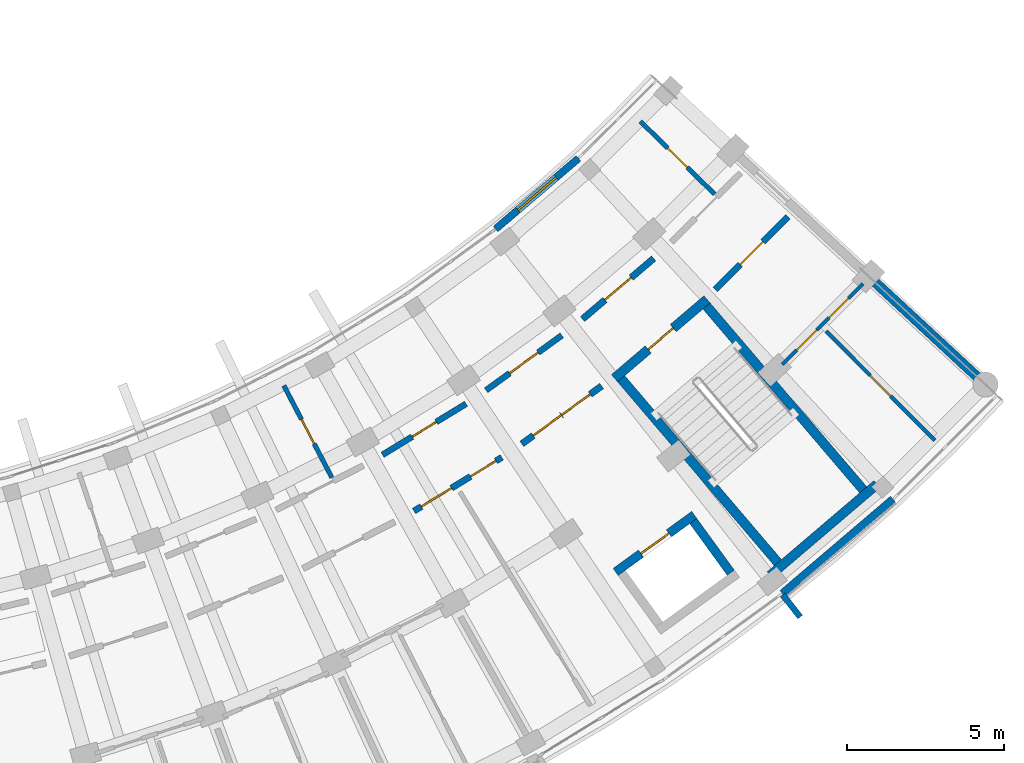
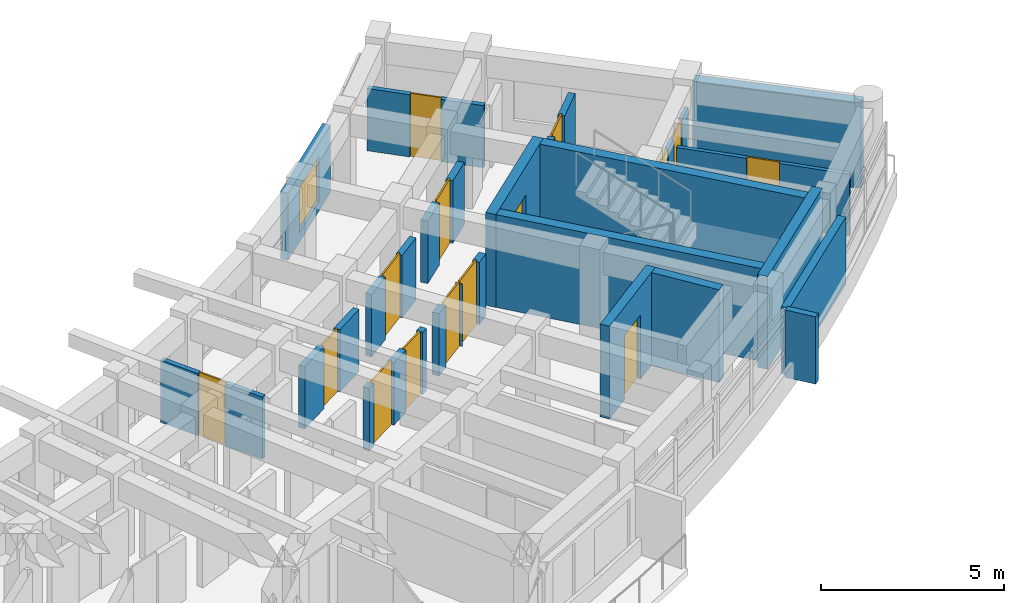
# One storey, part 54 of 70: 20 walls, 15 doors, 1 window, 16 openings.
"""IFC4 building model written with IfcOpenShell, lengths in metres."""

from ifc_helpers import new_model, si_unit, direction, frame, frame_2d, origin, place, context, subcontext, project, spatial, rectangle, extrude, material, layer, layer_set, type_object, element, fill, save


model = new_model("IFC4")

# Units and contexts
model_context = context("Model", 3, precision=1e-05, world=origin(), true_north=direction((0.0, 1.0)))
body_context = subcontext(model_context, "Body", "Model", "MODEL_VIEW")
ifc_project = project(units=[si_unit("LENGTHUNIT", "METRE"), si_unit("AREAUNIT", "SQUARE_METRE"), si_unit("VOLUMEUNIT", "CUBIC_METRE"), si_unit("PLANEANGLEUNIT", "RADIAN"), si_unit("MASSUNIT", "GRAM", prefix="KILO")], contexts=[model_context])

# Site, building, storey
site_placement = place(None, origin())
site = spatial("IfcSite", under=ifc_project, at=site_placement, CompositionType="ELEMENT")
building_placement = place(site_placement, origin())
building = spatial("IfcBuilding", under=site, at=building_placement, Name="Zimvara Arc Housing Community", CompositionType="ELEMENT")
storey_placement = place(building_placement, frame((0.0, 0.0, 8.10009765625)))
storey = spatial("IfcBuildingStorey", under=building, at=storey_placement, Name="L02", CompositionType="ELEMENT", Elevation=8.10009765625)

# Wall, opening, window
ifc_material_1 = material(Name="Board-Marked Fair-Faced Concrete C35/45", Category="concrete")
ifc_layer_1 = layer(ifc_material_1, 0.22998046875)
ifc_layer_set_1 = layer_set([ifc_layer_1], Name="Board-Marked Fair-Faced Concrete C35/45")
wall_type_1 = type_object("IfcWallType", Name="EWL-CONC-230", PredefinedType="SOLIDWALL", material=ifc_layer_set_1)
wall_1_placement = place(storey_placement, frame((153.588623046875, 74.80810546875, 0.0), z_axis=(0.0, 0.0, 1.0), x_axis=(0.760985425115, 0.648768974876, 0.0)))
wall_1 = element("IfcWall", 1, at=wall_1_placement, inside=storey, type_object=wall_type_1, Name="ewall:blkD:L02:in:b8", PredefinedType="SOLIDWALL", context=body_context, shape_type="SweptSolid", body=[
    extrude(rectangle(XDim=3.463623046875, YDim=0.22998046875, at=frame_2d((1.73193359375, 0.0))), origin(), (0.0, 0.0, 1.0), 2.25),
])
opening_1_placement = place(wall_1_placement, frame((0.931884765625, 0.0, 0.320068359375)))
opening_1 = element("IfcOpeningElement", 2, at=opening_1_placement, cuts=wall_1, Name="Opening W03", PredefinedType="OPENING", context=body_context, shape_type="SweptSolid", body=[
    extrude(rectangle(XDim=1.60009765625, YDim=1.5, at=frame_2d((0.800048828125, 0.75))), frame((0.0, 0.125, 0.0), z_axis=(0.0, -1.0, 0.0), x_axis=(1.0, 0.0, 0.0)), (0.0, 0.0, 1.0), 0.25),
])
ifc_material_2 = material(Name="Solar Control Low-E Double Glazing", Category="glass")
window_type = type_object("IfcWindowType", Name="WIN-RES-1600x1500", PartitioningType="DOUBLE_PANEL_VERTICAL", PredefinedType="WINDOW", material=ifc_material_2)
window_placement = place(opening_1_placement, origin())
window = element("IfcWindow", 3, at=window_placement, inside=storey, type_object=window_type, Name="win:blkD:L02:in:b8", OverallHeight=1.5, OverallWidth=1.60009765625, PartitioningType="DOUBLE_PANEL_VERTICAL", PredefinedType="WINDOW", context=body_context, shape_type="SweptSolid", body=[
    extrude(rectangle(XDim=1.60009765625, YDim=1.5, at=frame_2d((0.800048828125, 0.75))), frame((0.0, 0.030029296875, 0.0), z_axis=(0.0, -1.0, 0.0), x_axis=(1.0, 0.0, 0.0)), (0.0, 0.0, 1.0), 0.06005859375),
])
fill(opening_1, window)

# Walls
ifc_material_3 = material(Name="Board-Marked Fair-Faced Concrete C35/45", Category="concrete")
ifc_layer_2 = layer(ifc_material_3, 0.195068359375)
ifc_layer_set_2 = layer_set([ifc_layer_2], Name="Board-Marked Fair-Faced Concrete C35/45")
wall_type_2 = type_object("IfcWallType", Name="EWL-PARA-195", PredefinedType="PARAPET", material=ifc_layer_set_2)
wall_2_placement = place(storey_placement, frame((162.725830078125, 63.164306640625, 0.0), z_axis=(0.0, 0.0, 1.0), x_axis=(0.618456270212, -0.785819217019, 0.0)))
element("IfcWall", 4, at=wall_2_placement, inside=storey, type_object=wall_type_2, Name="finwall:blkD:L02:out:b8", PredefinedType="PARAPET", context=body_context, shape_type="SweptSolid", body=[
    extrude(rectangle(XDim=0.900146484375, YDim=0.195068359375, at=frame_2d((0.4501953125, 0.0))), origin(), (0.0, 0.0, 1.0), 2.25),
])
ifc_material_4 = material(Name="Board-Marked Fair-Faced Concrete C35/45", Category="concrete")
ifc_layer_3 = layer(ifc_material_4, 0.241943359375)
ifc_layer_set_3 = layer_set([ifc_layer_3], Name="Board-Marked Fair-Faced Concrete C35/45")
wall_type_3 = type_object("IfcWallType", Name="EWL-VAR-16", PredefinedType="SOLIDWALL", material=ifc_layer_set_3)
wall_3_placement = place(storey_placement, frame((162.71630859375, 63.208740234375, 0.0), z_axis=(0.0, 0.0, 1.0), x_axis=(0.760968923704, 0.64878833001, 0.0)))
element("IfcWall", 5, at=wall_3_placement, inside=storey, type_object=wall_type_3, Name="ewall:blkD:L02:out:b8", PredefinedType="SOLIDWALL", context=body_context, shape_type="SweptSolid", body=[
    extrude(rectangle(XDim=4.62255859375, YDim=0.241943359375, at=frame_2d((2.311279296875, 0.0))), origin(), (0.0, 0.0, 1.0), 2.25),
])

# Wall, openings, doors
ifc_material_5 = material(Name="Concrete C35/45", Category="concrete")
ifc_layer_4 = layer(ifc_material_5, 0.2099609375)
ifc_layer_set_4 = layer_set([ifc_layer_4], Name="Concrete C35/45")
wall_type_4 = type_object("IfcWallType", Name="IWL-CCF-210", PredefinedType="SOLIDWALL", material=ifc_layer_set_4)
wall_4_placement = place(storey_placement, frame((154.4228515625, 67.968017578125, 0.0), z_axis=(0.0, 0.0, 1.0), x_axis=(0.809516127005, 0.587097641043, 0.0)))
wall_4 = element("IfcWall", 6, at=wall_4_placement, inside=storey, type_object=wall_type_4, Name="iwall:blkD:L02:ll_div:b7", PredefinedType="SOLIDWALL", context=body_context, shape_type="SweptSolid", body=[
    extrude(rectangle(XDim=3.13720703125, YDim=0.2099609375, at=frame_2d((1.568603515625, 0.0))), origin(), (0.0, 0.0, 1.0), 2.079833984375),
])
opening_2_placement = place(wall_4_placement, frame((0.449951171875, 0.0, 0.0)))
opening_2 = element("IfcOpeningElement", 7, at=opening_2_placement, cuts=wall_4, Name="Opening FD-CCF1", PredefinedType="OPENING", context=body_context, shape_type="SweptSolid", body=[
    extrude(rectangle(XDim=1.10009765625, YDim=2.14990234375, at=frame_2d((0.550048828125, 1.074951171875))), frame((0.0, 0.114990234375, 0.0), z_axis=(0.0, -1.0, 0.0), x_axis=(1.0, 0.0, 0.0)), (0.0, 0.0, 1.0), 0.22998046875),
])
opening_3_placement = place(wall_4_placement, frame((1.56689453125, 0.0, 0.0)))
opening_3 = element("IfcOpeningElement", 8, at=opening_3_placement, cuts=wall_4, Name="Opening D07", PredefinedType="OPENING", context=body_context, shape_type="SweptSolid", body=[
    extrude(rectangle(XDim=1.1201171875, YDim=2.14990234375, at=frame_2d((0.56005859375, 1.074951171875))), frame((0.0, 0.114990234375, 0.0), z_axis=(0.0, -1.0, 0.0), x_axis=(1.0, 0.0, 0.0)), (0.0, 0.0, 1.0), 0.22998046875),
])
ifc_material_6 = material(Name="Mozambican Hardwood", Category="wood")
door_type_1 = type_object("IfcDoorType", Name="IDR-AMN-1120x2150", OperationType="NOTDEFINED", PredefinedType="DOOR", material=ifc_material_6)
door_1_placement = place(opening_3_placement, origin())
door_1 = element("IfcDoor", 9, at=door_1_placement, inside=storey, type_object=door_type_1, Name="idoor:blkD:L02:rs_in:b7", OperationType="SINGLE_SWING_LEFT", OverallHeight=2.14990234375, OverallWidth=1.1201171875, PredefinedType="DOOR", context=body_context, shape_type="SweptSolid", body=[
    extrude(rectangle(XDim=1.1201171875, YDim=2.14990234375, at=frame_2d((0.56005859375, 1.074951171875))), frame((0.0, 0.02490234375, 0.0), z_axis=(0.0, -1.0, 0.0), x_axis=(1.0, 0.0, 0.0)), (0.0, 0.0, 1.0), 0.050048828125),
])
fill(opening_3, door_1)
ifc_material_7 = material(Name="Anodised Aluminium AW-6063", Category="aluminium")
door_type_2 = type_object("IfcDoorType", Name="IDR-CCF-1100x2150", OperationType="NOTDEFINED", PredefinedType="DOOR", material=ifc_material_7)
door_2_placement = place(opening_2_placement, origin())
door_2 = element("IfcDoor", 10, at=door_2_placement, inside=storey, type_object=door_type_2, Name="idoor:blkD:L02:ll_in:b7", OperationType="SINGLE_SWING_RIGHT", OverallHeight=2.14990234375, OverallWidth=1.10009765625, PredefinedType="DOOR", context=body_context, shape_type="SweptSolid", body=[
    extrude(rectangle(XDim=1.10009765625, YDim=2.14990234375, at=frame_2d((0.550048828125, 1.074951171875))), frame((0.0, 0.02490234375, 0.0), z_axis=(0.0, -1.0, 0.0), x_axis=(1.0, 0.0, 0.0)), (0.0, 0.0, 1.0), 0.050048828125),
])
fill(opening_2, door_2)

# Wall, opening, door
wall_5_placement = place(storey_placement, frame((156.354248046875, 71.93994140625, 0.0), z_axis=(0.0, 0.0, 1.0), x_axis=(0.760991187621, 0.648762215579, 0.0)))
wall_5 = element("IfcWall", 11, at=wall_5_placement, inside=storey, type_object=wall_type_4, Name="iwall:blkD:L02:ccf_div:b8", PredefinedType="SOLIDWALL", context=body_context, shape_type="SweptSolid", body=[
    extrude(rectangle(XDim=2.975830078125, YDim=0.2099609375, at=frame_2d((1.48779296875, 0.0))), origin(), (0.0, 0.0, 1.0), 2.079833984375),
])
opening_4_placement = place(wall_5_placement, frame((0.93798828125, 0.0, 0.0)))
opening_4 = element("IfcOpeningElement", 12, at=opening_4_placement, cuts=wall_5, Name="Opening FD-CCF1", PredefinedType="OPENING", context=body_context, shape_type="SweptSolid", body=[
    extrude(rectangle(XDim=1.10009765625, YDim=2.14990234375, at=frame_2d((0.550048828125, 1.074951171875))), frame((0.0, 0.114990234375, 0.0), z_axis=(0.0, -1.0, 0.0), x_axis=(1.0, 0.0, 0.0)), (0.0, 0.0, 1.0), 0.22998046875),
])
door_3_placement = place(opening_4_placement, origin())
door_3 = element("IfcDoor", 13, at=door_3_placement, inside=storey, type_object=door_type_2, Name="idoor:blkD:L02:ccf_in:b8", OperationType="SINGLE_SWING_LEFT", OverallHeight=2.14990234375, OverallWidth=1.10009765625, PredefinedType="DOOR", context=body_context, shape_type="SweptSolid", body=[
    extrude(rectangle(XDim=1.10009765625, YDim=2.14990234375, at=frame_2d((0.550048828125, 1.074951171875))), frame((0.0, 0.02490234375, 0.0), z_axis=(0.0, -1.0, 0.0), x_axis=(1.0, 0.0, 0.0)), (0.0, 0.0, 1.0), 0.050048828125),
])
fill(opening_4, door_3)

ifc_material_8 = material(Name="Concrete C35/45", Category="concrete")
ifc_layer_5 = layer(ifc_material_8, 0.18994140625)
ifc_layer_set_5 = layer_set([ifc_layer_5], Name="Concrete C35/45")
wall_type_5 = type_object("IfcWallType", Name="IWL-CORR-190", PredefinedType="SOLIDWALL", material=ifc_layer_set_5)
wall_6_placement = place(storey_placement, frame((149.988525390625, 67.61865234375, 0.0), z_axis=(0.0, 0.0, 1.0), x_axis=(0.853121049608, 0.5217130195, 0.0)))
wall_6 = element("IfcWall", 14, at=wall_6_placement, inside=storey, type_object=wall_type_5, Name="iwall:blkD:L02:corr_in:b6", PredefinedType="SOLIDWALL", context=body_context, shape_type="SweptSolid", body=[
    extrude(rectangle(XDim=3.1162109375, YDim=0.18994140625, at=frame_2d((1.55810546875, 0.0))), origin(), (0.0, 0.0, 1.0), 2.079833984375),
])
opening_5_placement = place(wall_6_placement, frame((1.10791015625, 0.0, 0.0)))
opening_5 = element("IfcOpeningElement", 15, at=opening_5_placement, cuts=wall_6, Name="Opening D01", PredefinedType="OPENING", context=body_context, shape_type="SweptSolid", body=[
    extrude(rectangle(XDim=0.89990234375, YDim=2.10009765625, at=frame_2d((0.449951171875, 1.050048828125))), frame((0.0, 0.10498046875, 0.0), z_axis=(0.0, -1.0, 0.0), x_axis=(1.0, 0.0, 0.0)), (0.0, 0.0, 1.0), 0.2099609375),
])
ifc_material_9 = material(Name="Mozambican Hardwood", Category="wood")
door_type_3 = type_object("IfcDoorType", Name="IDR-RM-0900x2100", OperationType="NOTDEFINED", PredefinedType="DOOR", material=ifc_material_9)
door_4_placement = place(opening_5_placement, origin())
door_4 = element("IfcDoor", 16, at=door_4_placement, inside=storey, type_object=door_type_3, Name="idoor:blkD:L02:in_rm:b6", OperationType="SINGLE_SWING_RIGHT", OverallHeight=2.10009765625, OverallWidth=0.89990234375, PredefinedType="DOOR", context=body_context, shape_type="SweptSolid", body=[
    extrude(rectangle(XDim=0.89990234375, YDim=2.10009765625, at=frame_2d((0.449951171875, 1.050048828125))), frame((0.0, 0.02490234375, 0.0), z_axis=(0.0, -1.0, 0.0), x_axis=(1.0, 0.0, 0.0)), (0.0, 0.0, 1.0), 0.050048828125),
])
fill(opening_5, door_4)

wall_7_placement = place(storey_placement, frame((153.285400390625, 69.673583984375, 0.0), z_axis=(0.0, 0.0, 1.0), x_axis=(0.809505174959, 0.587112741911, 0.0)))
wall_7 = element("IfcWall", 17, at=wall_7_placement, inside=storey, type_object=wall_type_5, Name="iwall:blkD:L02:ra_div:b7", PredefinedType="SOLIDWALL", context=body_context, shape_type="SweptSolid", body=[
    extrude(rectangle(XDim=2.97607421875, YDim=0.18994140625, at=frame_2d((1.488037109375, 0.0))), origin(), (0.0, 0.0, 1.0), 2.079833984375),
])
opening_6_placement = place(wall_7_placement, frame((0.927978515625, 0.0, 0.0)))
opening_6 = element("IfcOpeningElement", 18, at=opening_6_placement, cuts=wall_7, Name="Opening D07", PredefinedType="OPENING", context=body_context, shape_type="SweptSolid", body=[
    extrude(rectangle(XDim=1.1201171875, YDim=2.14990234375, at=frame_2d((0.56005859375, 1.074951171875))), frame((0.0, 0.10498046875, 0.0), z_axis=(0.0, -1.0, 0.0), x_axis=(1.0, 0.0, 0.0)), (0.0, 0.0, 1.0), 0.2099609375),
])
door_5_placement = place(opening_6_placement, origin())
door_5 = element("IfcDoor", 19, at=door_5_placement, inside=storey, type_object=door_type_1, Name="idoor:blkD:L02:ra_d:b7", OperationType="SINGLE_SWING_RIGHT", OverallHeight=2.14990234375, OverallWidth=1.1201171875, PredefinedType="DOOR", context=body_context, shape_type="SweptSolid", body=[
    extrude(rectangle(XDim=1.1201171875, YDim=2.14990234375, at=frame_2d((0.56005859375, 1.074951171875))), frame((0.0, 0.02490234375, 0.0), z_axis=(0.0, -1.0, 0.0), x_axis=(1.0, 0.0, 0.0)), (0.0, 0.0, 1.0), 0.050048828125),
])
fill(opening_6, door_5)

# Wall, openings, doors
ifc_material_10 = material(Name="Concrete C35/45", Category="concrete")
ifc_layer_6 = layer(ifc_material_10, 0.199951171875)
ifc_layer_set_6 = layer_set([ifc_layer_6], Name="Concrete C35/45")
wall_type_6 = type_object("IfcWallType", Name="IWL-CORR-200", PredefinedType="SOLIDWALL", material=ifc_layer_set_6)
wall_8_placement = place(storey_placement, frame((150.98876953125, 65.8291015625, 0.0), z_axis=(0.0, 0.0, 1.0), x_axis=(0.853090237845, 0.521763400492, 0.0)))
wall_8 = element("IfcWall", 20, at=wall_8_placement, inside=storey, type_object=wall_type_6, Name="iwall:blkD:L02:corr_out:b6", PredefinedType="SOLIDWALL", context=body_context, shape_type="SweptSolid", body=[
    extrude(rectangle(XDim=3.27685546875, YDim=0.199951171875, at=frame_2d((1.638427734375, 0.0))), origin(), (0.0, 0.0, 1.0), 2.079833984375),
])
opening_7_placement = place(wall_8_placement, frame((0.280029296875, 0.0, 0.0)))
opening_7 = element("IfcOpeningElement", 21, at=opening_7_placement, cuts=wall_8, Name="Opening D07", PredefinedType="OPENING", context=body_context, shape_type="SweptSolid", body=[
    extrude(rectangle(XDim=1.1201171875, YDim=2.14990234375, at=frame_2d((0.56005859375, 1.074951171875))), frame((0.0, 0.10986328125, 0.0), z_axis=(0.0, -1.0, 0.0), x_axis=(1.0, 0.0, 0.0)), (0.0, 0.0, 1.0), 0.219970703125),
])
opening_8_placement = place(wall_8_placement, frame((2.10693359375, 0.0, 0.0)))
opening_8 = element("IfcOpeningElement", 22, at=opening_8_placement, cuts=wall_8, Name="Opening D06", PredefinedType="OPENING", context=body_context, shape_type="SweptSolid", body=[
    extrude(rectangle(XDim=0.949951171875, YDim=2.10009765625, at=frame_2d((0.47509765625, 1.050048828125))), frame((0.0, 0.10986328125, 0.0), z_axis=(0.0, -1.0, 0.0), x_axis=(1.0, 0.0, 0.0)), (0.0, 0.0, 1.0), 0.219970703125),
])
door_6_placement = place(opening_7_placement, origin())
door_6 = element("IfcDoor", 23, at=door_6_placement, inside=storey, type_object=door_type_1, Name="idoor:blkD:L02:amen:b6", OperationType="SINGLE_SWING_RIGHT", OverallHeight=2.14990234375, OverallWidth=1.1201171875, PredefinedType="DOOR", context=body_context, shape_type="SweptSolid", body=[
    extrude(rectangle(XDim=1.1201171875, YDim=2.14990234375, at=frame_2d((0.56005859375, 1.074951171875))), frame((0.0, 0.02490234375, 0.0), z_axis=(0.0, -1.0, 0.0), x_axis=(1.0, 0.0, 0.0)), (0.0, 0.0, 1.0), 0.050048828125),
])
fill(opening_7, door_6)
ifc_material_11 = material(Name="Mozambican Hardwood", Category="wood")
door_type_4 = type_object("IfcDoorType", Name="IDR-AWC-0950x2100", OperationType="NOTDEFINED", PredefinedType="DOOR", material=ifc_material_11)
door_7_placement = place(opening_8_placement, origin())
door_7 = element("IfcDoor", 24, at=door_7_placement, inside=storey, type_object=door_type_4, Name="idoor:blkD:L02:cawc:b6", OperationType="SINGLE_SWING_LEFT", OverallHeight=2.10009765625, OverallWidth=0.949951171875, PredefinedType="DOOR", context=body_context, shape_type="SweptSolid", body=[
    extrude(rectangle(XDim=0.949951171875, YDim=2.10009765625, at=frame_2d((0.47509765625, 1.050048828125))), frame((0.0, 0.02490234375, 0.0), z_axis=(0.0, -1.0, 0.0), x_axis=(1.0, 0.0, 0.0)), (0.0, 0.0, 1.0), 0.050048828125),
])
fill(opening_8, door_7)

# Wall, opening, door
wall_9_placement = place(storey_placement, frame((160.576416015625, 72.8837890625, 0.0), z_axis=(0.0, 0.0, 1.0), x_axis=(0.70773973846, 0.706473256822, 0.0)))
wall_9 = element("IfcWall", 25, at=wall_9_placement, inside=storey, type_object=wall_type_6, Name="iwall:blkD:L02:corr_out:b9", PredefinedType="SOLIDWALL", context=body_context, shape_type="SweptSolid", body=[
    extrude(rectangle(XDim=3.277099609375, YDim=0.199951171875, at=frame_2d((1.638671875, 0.0))), origin(), (0.0, 0.0, 1.0), 2.079833984375),
])
opening_9_placement = place(wall_9_placement, frame((1.12841796875, 0.0, 0.0)))
opening_9 = element("IfcOpeningElement", 26, at=opening_9_placement, cuts=wall_9, Name="Opening FD-FL2", PredefinedType="OPENING", context=body_context, shape_type="SweptSolid", body=[
    extrude(rectangle(XDim=1.02001953125, YDim=2.14990234375, at=frame_2d((0.510009765625, 1.074951171875))), frame((0.0, 0.10986328125, 0.0), z_axis=(0.0, -1.0, 0.0), x_axis=(1.0, 0.0, 0.0)), (0.0, 0.0, 1.0), 0.219970703125),
])
ifc_material_12 = material(Name="Mozambican Hardwood", Category="wood")
door_type_5 = type_object("IfcDoorType", Name="IDR-FLAT-1020x2150", OperationType="NOTDEFINED", PredefinedType="DOOR", material=ifc_material_12)
door_8_placement = place(opening_9_placement, origin())
door_8 = element("IfcDoor", 27, at=door_8_placement, inside=storey, type_object=door_type_5, Name="idoor:blkD:L02:flat:b9", OperationType="SINGLE_SWING_RIGHT", OverallHeight=2.14990234375, OverallWidth=1.02001953125, PredefinedType="DOOR", context=body_context, shape_type="SweptSolid", body=[
    extrude(rectangle(XDim=1.02001953125, YDim=2.14990234375, at=frame_2d((0.510009765625, 1.074951171875))), frame((0.0, 0.02490234375, 0.0), z_axis=(0.0, -1.0, 0.0), x_axis=(1.0, 0.0, 0.0)), (0.0, 0.0, 1.0), 0.050048828125),
])
fill(opening_9, door_8)

# Wall, openings, doors
ifc_material_13 = material(Name="Painted Acoustic Plasterboard")
ifc_layer_7 = layer(ifc_material_13, 0.110107421875)
ifc_layer_set_7 = layer_set([ifc_layer_7], Name="Painted Acoustic Plasterboard")
wall_type_7 = type_object("IfcWallType", Name="IWL-PART-110", PredefinedType="PARTITIONING", material=ifc_layer_set_7)
wall_10_placement = place(storey_placement, frame((162.711181640625, 70.496826171875, 0.0), z_axis=(0.0, 0.0, 1.0), x_axis=(0.70774573777, 0.706467246706, 0.0)))
wall_10 = element("IfcWall", 28, at=wall_10_placement, inside=storey, type_object=wall_type_7, Name="iwall:blkD:L02:srv:b9", PredefinedType="PARTITIONING", context=body_context, shape_type="SweptSolid", body=[
    extrude(rectangle(XDim=3.628173828125, YDim=0.110107421875, at=frame_2d((1.81396484375, 0.0))), origin(), (0.0, 0.0, 1.0), 2.079833984375),
])
opening_10_placement = place(wall_10_placement, frame((0.64990234375, 0.0, 0.0)))
opening_10 = element("IfcOpeningElement", 29, at=opening_10_placement, cuts=wall_10, Name="Opening D01", PredefinedType="OPENING", context=body_context, shape_type="SweptSolid", body=[
    extrude(rectangle(XDim=0.89990234375, YDim=2.10009765625, at=frame_2d((0.449951171875, 1.050048828125))), frame((0.0, 0.06494140625, 0.0), z_axis=(0.0, -1.0, 0.0), x_axis=(1.0, 0.0, 0.0)), (0.0, 0.0, 1.0), 0.130126953125),
])
opening_11_placement = place(wall_10_placement, frame((2.098388671875, 0.0, 0.0)))
opening_11 = element("IfcOpeningElement", 30, at=opening_11_placement, cuts=wall_10, Name="Opening D05", PredefinedType="OPENING", context=body_context, shape_type="SweptSolid", body=[
    extrude(rectangle(XDim=0.8798828125, YDim=2.10009765625, at=frame_2d((0.43994140625, 1.050048828125))), frame((0.0, 0.06494140625, 0.0), z_axis=(0.0, -1.0, 0.0), x_axis=(1.0, 0.0, 0.0)), (0.0, 0.0, 1.0), 0.130126953125),
])
door_9_placement = place(opening_10_placement, origin())
door_9 = element("IfcDoor", 31, at=door_9_placement, inside=storey, type_object=door_type_3, Name="idoor:blkD:L02:kit_liv:b9", OperationType="SINGLE_SWING_LEFT", OverallHeight=2.10009765625, OverallWidth=0.89990234375, PredefinedType="DOOR", context=body_context, shape_type="SweptSolid", body=[
    extrude(rectangle(XDim=0.89990234375, YDim=2.10009765625, at=frame_2d((0.449951171875, 1.050048828125))), frame((0.0, 0.02490234375, 0.0), z_axis=(0.0, -1.0, 0.0), x_axis=(1.0, 0.0, 0.0)), (0.0, 0.0, 1.0), 0.050048828125),
])
fill(opening_10, door_9)
ifc_material_14 = material(Name="Mozambican Hardwood", Category="wood")
door_type_6 = type_object("IfcDoorType", Name="IDR-WC-0880x2100", OperationType="NOTDEFINED", PredefinedType="DOOR", material=ifc_material_14)
door_10_placement = place(opening_11_placement, origin())
door_10 = element("IfcDoor", 32, at=door_10_placement, inside=storey, type_object=door_type_6, Name="idoor:blkD:L02:bath_d:b9", OperationType="SINGLE_SWING_RIGHT", OverallHeight=2.10009765625, OverallWidth=0.8798828125, PredefinedType="DOOR", context=body_context, shape_type="SweptSolid", body=[
    extrude(rectangle(XDim=0.8798828125, YDim=2.10009765625, at=frame_2d((0.43994140625, 1.050048828125))), frame((0.0, 0.02490234375, 0.0), z_axis=(0.0, -1.0, 0.0), x_axis=(1.0, 0.0, 0.0)), (0.0, 0.0, 1.0), 0.050048828125),
])
fill(opening_11, door_10)

# Wall, opening, door
ifc_material_15 = material(Name="Painted Acoustic Plasterboard")
ifc_layer_8 = layer(ifc_material_15, 0.1201171875)
ifc_layer_set_8 = layer_set([ifc_layer_8], Name="Painted Acoustic Plasterboard")
wall_type_8 = type_object("IfcWallType", Name="IWL-PART-120", PredefinedType="PARTITIONING", material=ifc_layer_set_8)
wall_11_placement = place(storey_placement, frame((164.1103515625, 71.552490234375, 0.0), z_axis=(0.0, 0.0, 1.0), x_axis=(0.705460671411, -0.708749067789, 0.0)))
wall_11 = element("IfcWall", 33, at=wall_11_placement, inside=storey, type_object=wall_type_8, Name="iwall:blkD:L02:bed_div:b9", PredefinedType="PARTITIONING", context=body_context, shape_type="SweptSolid", body=[
    extrude(rectangle(XDim=4.900146484375, YDim=0.1201171875, at=frame_2d((2.4501953125, 0.0))), origin(), (0.0, 0.0, 1.0), 2.079833984375),
])
opening_12_placement = place(wall_11_placement, frame((1.985107421875, 0.0, 0.0)))
opening_12 = element("IfcOpeningElement", 34, at=opening_12_placement, cuts=wall_11, Name="Opening D13", PredefinedType="OPENING", context=body_context, shape_type="SweptSolid", body=[
    extrude(rectangle(XDim=0.929931640625, YDim=2.10009765625, at=frame_2d((0.46484375, 1.050048828125))), frame((0.0, 0.070068359375, 0.0), z_axis=(0.0, -1.0, 0.0), x_axis=(1.0, 0.0, 0.0)), (0.0, 0.0, 1.0), 0.14013671875),
])
ifc_material_16 = material(Name="Mozambican Hardwood", Category="wood")
door_type_7 = type_object("IfcDoorType", Name="IDR-MOD-930x2180", OperationType="NOTDEFINED", PredefinedType="DOOR", material=ifc_material_16)
door_11_placement = place(opening_12_placement, origin())
door_11 = element("IfcDoor", 35, at=door_11_placement, inside=storey, type_object=door_type_7, Name="idoor:blkD:L02:bed_d:b9", OperationType="SINGLE_SWING_LEFT", OverallHeight=2.10009765625, OverallWidth=0.929931640625, PredefinedType="DOOR", context=body_context, shape_type="SweptSolid", body=[
    extrude(rectangle(XDim=0.929931640625, YDim=2.10009765625, at=frame_2d((0.46484375, 1.050048828125))), frame((0.0, 0.02490234375, 0.0), z_axis=(0.0, -1.0, 0.0), x_axis=(1.0, 0.0, 0.0)), (0.0, 0.0, 1.0), 0.050048828125),
])
fill(opening_12, door_11)

ifc_material_17 = material(Name="Painted Acoustic Plasterboard")
ifc_layer_9 = layer(ifc_material_17, 0.14501953125)
ifc_layer_set_9 = layer_set([ifc_layer_9], Name="Painted Acoustic Plasterboard")
wall_type_9 = type_object("IfcWallType", Name="IWL-WET-145", PredefinedType="PARTITIONING", material=ifc_layer_set_9)
wall_12_placement = place(storey_placement, frame((146.8486328125, 69.822265625, 0.0), z_axis=(0.0, 0.0, 1.0), x_axis=(0.462242343884, -0.886753638572, 0.0)))
wall_12 = element("IfcWall", 36, at=wall_12_placement, inside=storey, type_object=wall_type_9, Name="iwall:blkD:L02:ens:b5", PredefinedType="PARTITIONING", context=body_context, shape_type="SweptSolid", body=[
    extrude(rectangle(XDim=3.300048828125, YDim=0.14501953125, at=frame_2d((1.64990234375, 0.0))), origin(), (0.0, 0.0, 1.0), 2.079833984375),
])
opening_13_placement = place(wall_12_placement, frame((1.2099609375, 0.0, 0.0)))
opening_13 = element("IfcOpeningElement", 37, at=opening_13_placement, cuts=wall_12, Name="Opening D05", PredefinedType="OPENING", context=body_context, shape_type="SweptSolid", body=[
    extrude(rectangle(XDim=0.8798828125, YDim=2.10009765625, at=frame_2d((0.43994140625, 1.050048828125))), frame((0.0, 0.08251953125, 0.0), z_axis=(0.0, -1.0, 0.0), x_axis=(1.0, 0.0, 0.0)), (0.0, 0.0, 1.0), 0.1650390625),
])
door_12_placement = place(opening_13_placement, origin())
door_12 = element("IfcDoor", 38, at=door_12_placement, inside=storey, type_object=door_type_6, Name="idoor:blkD:L02:ens_d:b5", OperationType="SINGLE_SWING_RIGHT", OverallHeight=2.10009765625, OverallWidth=0.8798828125, PredefinedType="DOOR", context=body_context, shape_type="SweptSolid", body=[
    extrude(rectangle(XDim=0.8798828125, YDim=2.10009765625, at=frame_2d((0.43994140625, 1.050048828125))), frame((0.0, 0.02490234375, 0.0), z_axis=(0.0, -1.0, 0.0), x_axis=(1.0, 0.0, 0.0)), (0.0, 0.0, 1.0), 0.050048828125),
])
fill(opening_13, door_12)

wall_13_placement = place(storey_placement, frame((158.19970703125, 78.23046875, 0.0), z_axis=(0.0, 0.0, 1.0), x_axis=(0.713587506757, -0.700566106945, 0.0)))
wall_13 = element("IfcWall", 39, at=wall_13_placement, inside=storey, type_object=wall_type_9, Name="iwall:blkD:L02:ens:b9", PredefinedType="PARTITIONING", context=body_context, shape_type="SweptSolid", body=[
    extrude(rectangle(XDim=3.2998046875, YDim=0.14501953125, at=frame_2d((1.64990234375, 0.0))), origin(), (0.0, 0.0, 1.0), 2.079833984375),
])
opening_14_placement = place(wall_13_placement, frame((1.2099609375, 0.0, 0.0)))
opening_14 = element("IfcOpeningElement", 40, at=opening_14_placement, cuts=wall_13, Name="Opening D05", PredefinedType="OPENING", context=body_context, shape_type="SweptSolid", body=[
    extrude(rectangle(XDim=0.8798828125, YDim=2.10009765625, at=frame_2d((0.43994140625, 1.050048828125))), frame((0.0, 0.08251953125, 0.0), z_axis=(0.0, -1.0, 0.0), x_axis=(1.0, 0.0, 0.0)), (0.0, 0.0, 1.0), 0.1650390625),
])
door_13_placement = place(opening_14_placement, origin())
door_13 = element("IfcDoor", 41, at=door_13_placement, inside=storey, type_object=door_type_6, Name="idoor:blkD:L02:ens_d:b9", OperationType="SINGLE_SWING_RIGHT", OverallHeight=2.10009765625, OverallWidth=0.8798828125, PredefinedType="DOOR", context=body_context, shape_type="SweptSolid", body=[
    extrude(rectangle(XDim=0.8798828125, YDim=2.10009765625, at=frame_2d((0.43994140625, 1.050048828125))), frame((0.0, 0.02490234375, 0.0), z_axis=(0.0, -1.0, 0.0), x_axis=(1.0, 0.0, 0.0)), (0.0, 0.0, 1.0), 0.050048828125),
])
fill(opening_14, door_13)

ifc_material_18 = material(Name="Concrete C40/50", Category="concrete")
ifc_layer_10 = layer(ifc_material_18, 0.280029296875)
ifc_layer_set_10 = layer_set([ifc_layer_10], Name="Concrete C40/50")
wall_type_10 = type_object("IfcWallType", Name="WL-CORE-280", PredefinedType="SHEAR", material=ifc_layer_set_10)
wall_14_placement = place(storey_placement, frame((157.408935546875, 63.890380859375, 0.0), z_axis=(0.0, 0.0, 1.0), x_axis=(0.809510936031, 0.587104798521, 0.0)))
wall_14 = element("IfcWall", 42, at=wall_14_placement, inside=storey, type_object=wall_type_10, Name="lwall:LP-D2:L02:front", PredefinedType="SHEAR", context=body_context, shape_type="SweptSolid", body=[
    extrude(rectangle(XDim=3.090087890625, YDim=0.280029296875, at=frame_2d((1.544921875, 0.0))), origin(), (0.0, 0.0, 1.0), 3.099853515625),
])
opening_15_placement = place(wall_14_placement, frame((0.9951171875, 0.0, 0.0)))
opening_15 = element("IfcOpeningElement", 43, at=opening_15_placement, cuts=wall_14, Name="Opening LD-LP-D2", PredefinedType="OPENING", context=body_context, shape_type="SweptSolid", body=[
    extrude(rectangle(XDim=1.10009765625, YDim=2.14990234375, at=frame_2d((0.550048828125, 1.074951171875))), frame((0.0, 0.14990234375, 0.0), z_axis=(0.0, -1.0, 0.0), x_axis=(1.0, 0.0, 0.0)), (0.0, 0.0, 1.0), 0.300048828125),
])
ifc_material_19 = material(Name="Anodised Aluminium AW-6063", Category="aluminium")
door_type_8 = type_object("IfcDoorType", Name="IDR-LD-1100x2150", OperationType="DOUBLE_DOOR_SLIDING", PredefinedType="DOOR", material=ifc_material_19)
door_14_placement = place(opening_15_placement, origin())
door_14 = element("IfcDoor", 44, at=door_14_placement, inside=storey, type_object=door_type_8, Name="Lift LP-D2 Sliding Landing Door L02", OperationType="DOUBLE_DOOR_SLIDING", OverallHeight=2.14990234375, OverallWidth=1.10009765625, PredefinedType="DOOR", context=body_context, shape_type="SweptSolid", body=[
    extrude(rectangle(XDim=1.10009765625, YDim=2.14990234375, at=frame_2d((0.550048828125, 1.074951171875))), frame((0.0, 0.02490234375, 0.0), z_axis=(0.0, -1.0, 0.0), x_axis=(1.0, 0.0, 0.0)), (0.0, 0.0, 1.0), 0.050048828125),
])
fill(opening_15, door_14)

# Wall
wall_15_placement = place(storey_placement, frame((159.87939453125, 65.509033203125, 0.0), z_axis=(0.0, 0.0, 1.0), x_axis=(0.58704837408, -0.809551855344, 0.0)))
element("IfcWall", 45, at=wall_15_placement, inside=storey, type_object=wall_type_10, Name="lwall:LP-D2:L02:right", PredefinedType="SHEAR", context=body_context, shape_type="SweptSolid", body=[
    extrude(rectangle(XDim=2.02978515625, YDim=0.280029296875, at=frame_2d((1.014892578125, 0.0))), origin(), (0.0, 0.0, 1.0), 3.099853515625),
])

# Wall, opening, door
ifc_material_20 = material(Name="Concrete C40/50", Category="concrete")
ifc_layer_11 = layer(ifc_material_20, 0.300048828125)
ifc_layer_set_11 = layer_set([ifc_layer_11], Name="Concrete C40/50")
wall_type_11 = type_object("IfcWallType", Name="WL-CORE-300", PredefinedType="SHEAR", material=ifc_layer_set_11)
wall_16_placement = place(storey_placement, frame((157.37158203125, 70.0576171875, 0.0), z_axis=(0.0, 0.0, 1.0), x_axis=(0.760990583254, 0.648762924495, 0.0)))
wall_16 = element("IfcWall", 46, at=wall_16_placement, inside=storey, type_object=wall_type_11, Name="cwall:ST-D2:L02:near", PredefinedType="SHEAR", context=body_context, shape_type="SweptSolid", body=[
    extrude(rectangle(XDim=3.8701171875, YDim=0.300048828125, at=frame_2d((1.93505859375, 0.0))), origin(), (0.0, 0.0, 1.0), 3.099853515625),
])
opening_16_placement = place(wall_16_placement, frame((1.409912109375, 0.0, 0.0)))
opening_16 = element("IfcOpeningElement", 47, at=opening_16_placement, cuts=wall_16, Name="Opening FD-ST2", PredefinedType="OPENING", context=body_context, shape_type="SweptSolid", body=[
    extrude(rectangle(XDim=1.050048828125, YDim=2.14990234375, at=frame_2d((0.52490234375, 1.074951171875))), frame((0.0, 0.159912109375, 0.0), z_axis=(0.0, -1.0, 0.0), x_axis=(1.0, 0.0, 0.0)), (0.0, 0.0, 1.0), 0.320068359375),
])
ifc_material_21 = material(Name="Anodised Aluminium AW-6063", Category="aluminium")
door_type_9 = type_object("IfcDoorType", Name="IDR-ST-1050x2150", OperationType="NOTDEFINED", PredefinedType="DOOR", material=ifc_material_21)
door_15_placement = place(opening_16_placement, origin())
door_15 = element("IfcDoor", 48, at=door_15_placement, inside=storey, type_object=door_type_9, Name="idoor:ST-D2:L02:entry", OperationType="SINGLE_SWING_RIGHT", OverallHeight=2.14990234375, OverallWidth=1.050048828125, PredefinedType="DOOR", context=body_context, shape_type="SweptSolid", body=[
    extrude(rectangle(XDim=1.050048828125, YDim=2.14990234375, at=frame_2d((0.52490234375, 1.074951171875))), frame((0.0, 0.02490234375, 0.0), z_axis=(0.0, -1.0, 0.0), x_axis=(1.0, 0.0, 0.0)), (0.0, 0.0, 1.0), 0.050048828125),
])
fill(opening_16, door_15)

# Walls
wall_17_placement = place(storey_placement, frame((162.3271484375, 63.78271484375, 0.0), z_axis=(0.0, 0.0, 1.0), x_axis=(0.760969560012, 0.648787583678, 0.0)))
element("IfcWall", 49, at=wall_17_placement, inside=storey, type_object=wall_type_11, Name="cwall:ST-D2:L02:far", PredefinedType="SHEAR", context=body_context, shape_type="SweptSolid", body=[
    extrude(rectangle(XDim=4.47021484375, YDim=0.300048828125, at=frame_2d((2.235107421875, 0.0))), origin(), (0.0, 0.0, 1.0), 3.099853515625),
])
wall_18_placement = place(storey_placement, frame((157.583251953125, 70.040771484375, 0.0), z_axis=(0.0, 0.0, 1.0), x_axis=(0.648762810187, -0.760990680704, 0.0)))
element("IfcWall", 50, at=wall_18_placement, inside=storey, type_object=wall_type_11, Name="cwall:ST-D2:L02:left", PredefinedType="SHEAR", context=body_context, shape_type="SweptSolid", body=[
    extrude(rectangle(XDim=7.68994140625, YDim=0.300048828125, at=frame_2d((3.844970703125, 0.0))), origin(), (0.0, 0.0, 1.0), 3.099853515625),
])
wall_19_placement = place(storey_placement, frame((160.2998046875, 72.35693359375, 0.0), z_axis=(0.0, 0.0, 1.0), x_axis=(0.648781194888, -0.760975006922, 0.0)))
element("IfcWall", 51, at=wall_19_placement, inside=storey, type_object=wall_type_11, Name="cwall:ST-D2:L02:right", PredefinedType="SHEAR", context=body_context, shape_type="SweptSolid", body=[
    extrude(rectangle(XDim=7.690185546875, YDim=0.300048828125, at=frame_2d((3.84521484375, 0.0))), origin(), (0.0, 0.0, 1.0), 3.099853515625),
])
ifc_material_22 = material(Name="Concrete C40/50", Category="concrete")
ifc_layer_12 = layer(ifc_material_22, 0.31005859375)
ifc_layer_set_12 = layer_set([ifc_layer_12], Name="Concrete C40/50")
wall_type_12 = type_object("IfcWallType", Name="WL-SHEAR-310", PredefinedType="SHEAR", material=ifc_layer_set_12)
wall_20_placement = place(storey_placement, frame((165.586669921875, 73.183837890625, 0.0), z_axis=(0.0, 0.0, 1.0), x_axis=(0.733739663667, -0.679430721974, 0.0)))
element("IfcWall", 52, at=wall_20_placement, inside=storey, type_object=wall_type_12, Name="swall:blkD:L02:east", PredefinedType="SHEAR", context=body_context, shape_type="SweptSolid", body=[
    extrude(rectangle(XDim=4.72021484375, YDim=0.31005859375, at=frame_2d((2.360107421875, 0.0))), origin(), (0.0, 0.0, 1.0), 2.85986328125),
])

save(model, "model.ifc")
